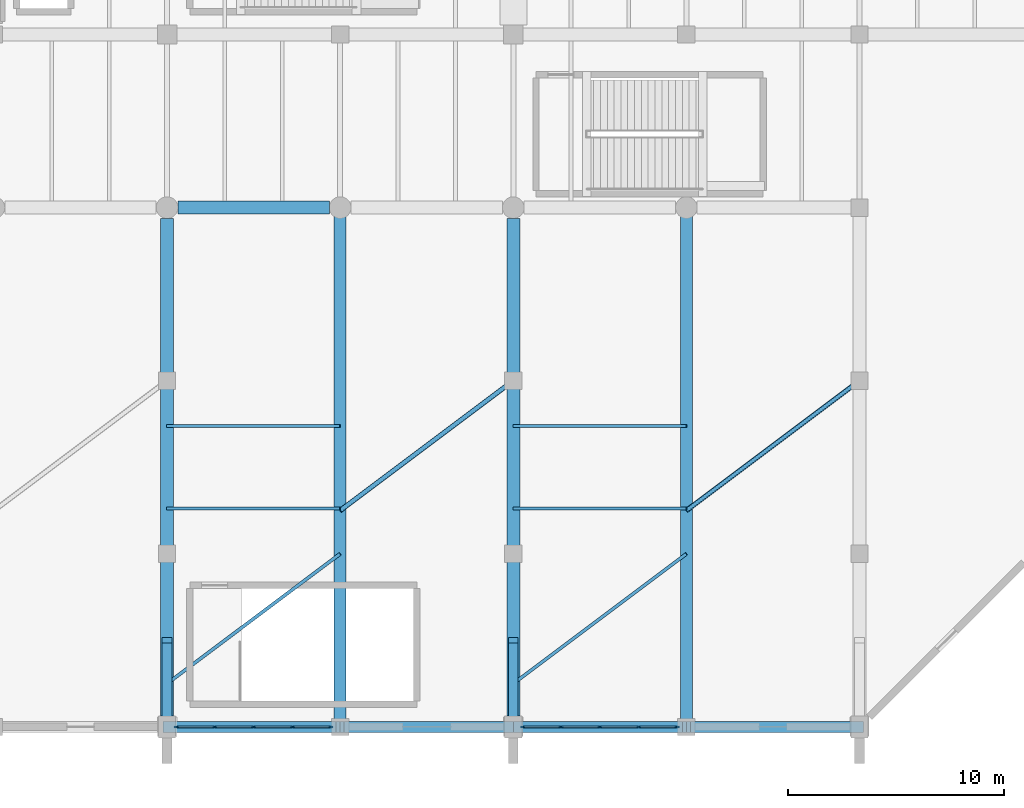
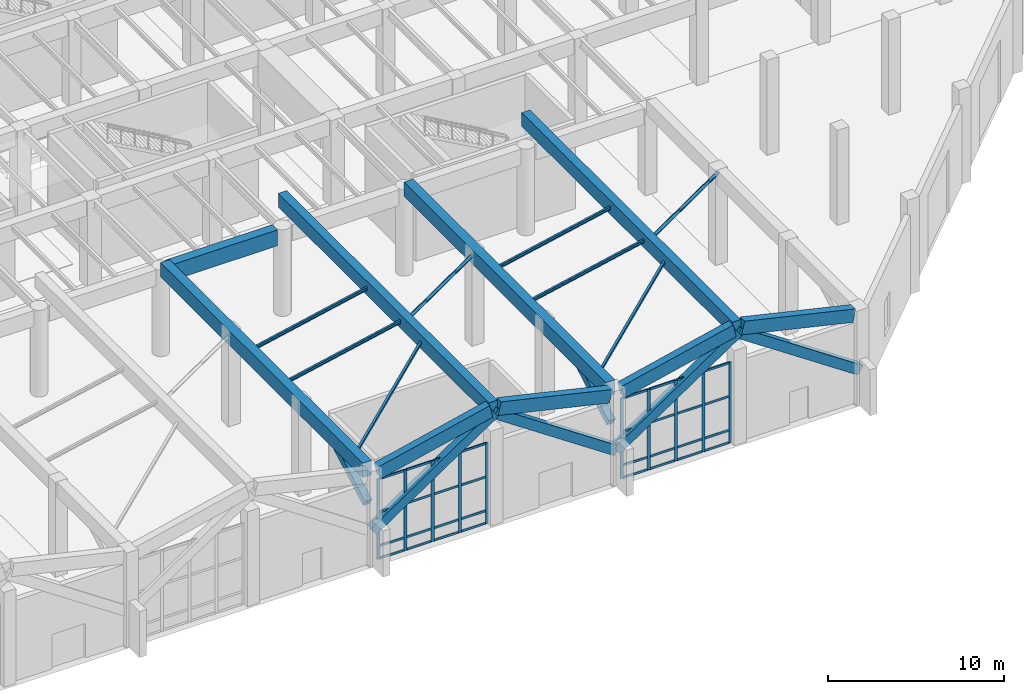
# One storey, part 15 of 51: 56 members, 9 beams, 2 elements without a shape of their own.
"""IFC4 building model written with IfcOpenShell, lengths in metres."""

from ifc_helpers import new_model, si_unit, direction, frame, origin, origin_2d, place, context, subcontext, project, spatial, rectangle, hollow_rectangle, hollow_circle, i_section, extrude, material, layer, layer_set, material_profile, profile_set, type_object, element, aggregate, save


model = new_model("IFC4")

# Units and contexts
model_context = context("Model", 3, precision=1e-05, world=origin(), true_north=direction((0.0, 1.0)))
body_context = subcontext(model_context, "Body", "Model", "MODEL_VIEW")
ifc_project = project(units=[si_unit("LENGTHUNIT", "METRE"), si_unit("AREAUNIT", "SQUARE_METRE"), si_unit("VOLUMEUNIT", "CUBIC_METRE"), si_unit("PLANEANGLEUNIT", "RADIAN"), si_unit("MASSUNIT", "GRAM", prefix="KILO")], contexts=[model_context])

# Site, building, storey
site_placement = place(None, origin())
site = spatial("IfcSite", under=ifc_project, at=site_placement, CompositionType="ELEMENT")
building_placement = place(site_placement, origin())
building = spatial("IfcBuilding", under=site, at=building_placement, Name="Varnela Railside Interchange", CompositionType="ELEMENT")
storey_placement = place(building_placement, origin())
storey = spatial("IfcBuildingStorey", under=building, at=storey_placement, Name="L00", CompositionType="ELEMENT", Elevation=0.0)

# Beams
ifc_material_1 = material(Name="Concrete C40", Category="concrete")
ifc_material_profile_1 = material_profile(ifc_material_1, rectangle(XDim=0.5, YDim=0.89990234375, at=origin_2d()), Name="RC 500x900")
ifc_profile_set_1 = profile_set([ifc_material_profile_1], Name="Concrete C40")
beam_type_1 = type_object("IfcBeamType", Name="Canopy Edge Chord Beam B-03", PredefinedType="BEAM", material=ifc_profile_set_1)
for number, where, z_axis, x_axis, name in (
    (1, (100.39990234375, 6.0, 6.14990234375), (0.974105883285, 0.0, 0.226092300067), (0.0, 1.0, 0.0), "Canopy Edge Chord Beam B-03 (L00) (BM-1400)"),
    (2, (108.27490234375, 6.0, 7.85009765625), (0.974105883285, 0.0, -0.226092300067), (0.0, 1.0, 0.0), "Canopy Edge Chord Beam B-03 (L00) (BM-1401)"),
    (3, (116.39990234375, 6.0, 6.14990234375), (0.974105883285, 0.0, 0.226092300067), (0.0, 1.0, 0.0), "Canopy Edge Chord Beam B-03 (L00) (BM-1402)"),
    (4, (124.27490234375, 6.0, 7.85009765625), (0.974105883285, 0.0, -0.226092300067), (0.0, 1.0, 0.0), "Canopy Edge Chord Beam B-03 (L00) (BM-1403)"),
):
    element("IfcBeam", number, at=place(storey_placement, frame(where, z_axis=z_axis, x_axis=x_axis)), inside=storey, type_object=beam_type_1, Name=name, PredefinedType="BEAM", context=body_context, shape_type="SweptSolid", body=[
        extrude(rectangle(XDim=0.5, YDim=0.89990234375, at=origin_2d()), origin(), (0.0, 0.0, 1.0), 7.52001953125),
    ])

# Members
ifc_material_2 = material(Name="Steel AR 350 (350 MPa)", Category="steel")
ifc_material_profile_2 = material_profile(ifc_material_2, hollow_circle(Radius=0.109619140625, WallThickness=0.012451171875, at=origin_2d()), Name="CHS 219.1x12.5")
ifc_profile_set_2 = profile_set([ifc_material_profile_2], Name="Steel AR 350 (350 MPa)")
member_type_1 = type_object("IfcMemberType", Name="Canopy Inclined Tie Strut BR-13", PredefinedType="STRUT", material=ifc_profile_set_2)
for number, where, z_axis, x_axis, name in (
    (5, (108.0, 16.0, 7.824951171875), (0.788358644975, 0.591268983731, -0.169975397545), (-0.6, 0.8, 0.0), "Canopy Inclined Tie Strut BR-13 (L00) (MB-0027)"),
    (6, (124.0, 16.0, 7.824951171875), (0.788358644975, 0.591268983731, -0.169975397545), (-0.6, 0.8, 0.0), "Canopy Inclined Tie Strut BR-13 (L00) (MB-0028)"),
):
    element("IfcMember", number, at=place(storey_placement, frame(where, z_axis=z_axis, x_axis=x_axis)), inside=storey, type_object=member_type_1, Name=name, PredefinedType="STRUT", context=body_context, shape_type="SweptSolid", body=[
        extrude(hollow_circle(Radius=0.109619140625, WallThickness=0.012451171875, at=origin_2d()), origin(), (0.0, 0.0, 1.0), 10.147705078125),
    ])
ifc_material_profile_3 = material_profile(ifc_material_2, hollow_rectangle(XDim=0.14990234375, YDim=0.14990234375, WallThickness=0.010009765625, at=origin_2d()), Name="HSS 150x150x10")
ifc_profile_set_3 = profile_set([ifc_material_profile_3], Name="Steel AR 350 (350 MPa)")
member_type_2 = type_object("IfcMemberType", Name="Canopy Plan Wind Brace BR-08", PredefinedType="BRACE", material=ifc_profile_set_3)
for number, where, z_axis, x_axis, name in (
    (7, (100.0, 8.0, 6.10009765625), (0.788358644975, 0.591268983731, 0.169975397545), (-0.6, 0.8, 0.0), "Canopy Plan Wind Brace BR-08 (L00) (MB-0033)"),
    (8, (116.0, 8.0, 6.10009765625), (0.788358644975, 0.591268983731, 0.169975397545), (-0.6, 0.8, 0.0), "Canopy Plan Wind Brace BR-08 (L00) (MB-0034)"),
):
    element("IfcMember", number, at=place(storey_placement, frame(where, z_axis=z_axis, x_axis=x_axis)), inside=storey, type_object=member_type_2, Name=name, PredefinedType="BRACE", context=body_context, shape_type="SweptSolid", body=[
        extrude(hollow_rectangle(XDim=0.14990234375, YDim=0.14990234375, WallThickness=0.010009765625, at=origin_2d()), origin(), (0.0, 0.0, 1.0), 10.147705078125),
    ])

# Beams
ifc_material_profile_4 = material_profile(ifc_material_1, rectangle(XDim=0.550048828125, YDim=0.949951171875, at=origin_2d()), Name="RC 550x950")
ifc_profile_set_4 = profile_set([ifc_material_profile_4], Name="Concrete C40")
beam_type_2 = type_object("IfcBeamType", Name="Canopy Ridge Girder B-04", PredefinedType="BEAM", material=ifc_profile_set_4)
for number, where, z_axis, x_axis, name in (
    (9, (108.0, 6.0, 7.824951171875), (0.0, 1.0, 0.0), (-1.0, 0.0, 0.0), "Canopy Ridge Girder B-04 (L00) (BM-1408)"),
    (10, (124.0, 6.0, 7.824951171875), (0.0, 1.0, 0.0), (-1.0, 0.0, 0.0), "Canopy Ridge Girder B-04 (L00) (BM-1409)"),
):
    element("IfcBeam", number, at=place(storey_placement, frame(where, z_axis=z_axis, x_axis=x_axis)), inside=storey, type_object=beam_type_2, Name=name, PredefinedType="BEAM", context=body_context, shape_type="SweptSolid", body=[
        extrude(rectangle(XDim=0.550048828125, YDim=0.949951171875, at=origin_2d()), origin(), (0.0, 0.0, 1.0), 24.0),
    ])
ifc_material_profile_5 = material_profile(ifc_material_1, rectangle(XDim=0.60009765625, YDim=1.0, at=origin_2d()), Name="RC 600x1000")
ifc_profile_set_5 = profile_set([ifc_material_profile_5], Name="Concrete C40")
beam_type_3 = type_object("IfcBeamType", Name="Canopy Valley Girder B-05", PredefinedType="BEAM", material=ifc_profile_set_5)
for number, where, z_axis, x_axis, name in (
    (11, (100.0, 6.5, 6.10009765625), (0.0, 1.0, 0.0), (-1.0, 0.0, 0.0), "Canopy Valley Girder B-05 (L00) (BM-1414)"),
    (12, (116.0, 6.5, 6.10009765625), (0.0, 1.0, 0.0), (-1.0, 0.0, 0.0), "Canopy Valley Girder B-05 (L00) (BM-1415)"),
):
    element("IfcBeam", number, at=place(storey_placement, frame(where, z_axis=z_axis, x_axis=x_axis)), inside=storey, type_object=beam_type_3, Name=name, PredefinedType="BEAM", context=body_context, shape_type="SweptSolid", body=[
        extrude(rectangle(XDim=0.60009765625, YDim=1.0, at=origin_2d()), origin(), (0.0, 0.0, 1.0), 23.0),
    ])
ifc_material_3 = material(Name="Concrete C50", Category="concrete")
ifc_material_profile_6 = material_profile(ifc_material_3, rectangle(XDim=0.60009765625, YDim=1.10009765625, at=origin_2d()), Name="RC 600x1100")
ifc_profile_set_6 = profile_set([ifc_material_profile_6], Name="Concrete C50")
beam_type_4 = type_object("IfcBeamType", Name="Concourse RC Girder B-06", PredefinedType="BEAM", material=ifc_profile_set_6)
beam_placement = place(storey_placement, frame((100.5, 30.0, 5.469970703125), z_axis=(1.0, 0.0, 0.0), x_axis=(0.0, 1.0, 0.0)))
element("IfcBeam", 13, at=beam_placement, inside=storey, type_object=beam_type_4, Name="Concourse RC Girder B-06 (L00) (BM-1189)", PredefinedType="BEAM", context=body_context, shape_type="SweptSolid", body=[
    extrude(rectangle(XDim=0.60009765625, YDim=1.10009765625, at=origin_2d()), origin(), (0.0, 0.0, 1.0), 7.0),
])

# Curtain wall, members
ifc_material_4 = material(Name="Aluminium 6063-T6", Category="aluminium")
ifc_layer = layer(ifc_material_4, 0.035888671875)
ifc_layer_set = layer_set([ifc_layer], Name="Aluminium 6063-T6")
curtain_wall_type = type_object("IfcCurtainWallType", Name="Arrival Forecourt Portal Curtain Wall CW-04", PredefinedType="USERDEFINED", material=ifc_layer_set)
curtain_wall_1_placement = place(storey_placement, origin())
curtain_wall_1 = element("IfcCurtainWall", 14, at=curtain_wall_1_placement, inside=storey, type_object=curtain_wall_type, Name="Curtain Wall CW-04 (L00) (CW-011)", ObjectType="CURTAIN WALL", PredefinedType="USERDEFINED")
ifc_material_profile_7 = material_profile(ifc_material_4, rectangle(XDim=0.074951171875, YDim=0.199951171875, at=origin_2d()), Name="ALU 75x200")
ifc_profile_set_7 = profile_set([ifc_material_profile_7], Name="Aluminium 6063-T6")
member_type_3 = type_object("IfcMemberType", Name="Portal Heavy Mullion ML-04", PredefinedType="MULLION", material=ifc_profile_set_7)
member_1_placement = place(storey_placement, frame((123.5625, 6.0, 0.0), z_axis=(0.0, 0.0, 1.0), x_axis=(0.0, -1.0, 0.0)))
member_1 = element("IfcMember", 15, at=member_1_placement, type_object=member_type_3, Name="CW-04 mullion 1", PredefinedType="MULLION", context=body_context, shape_type="SweptSolid", body=[
    extrude(rectangle(XDim=0.074951171875, YDim=0.199951171875, at=origin_2d()), origin(), (0.0, 0.0, 1.0), 5.60009765625),
])
member_2_placement = place(storey_placement, frame((121.800048828125, 6.0, 0.0), z_axis=(0.0, 0.0, 1.0), x_axis=(0.0, -1.0, 0.0)))
member_2 = element("IfcMember", 16, at=member_2_placement, type_object=member_type_3, Name="CW-04 mullion 2", PredefinedType="MULLION", context=body_context, shape_type="SweptSolid", body=[
    extrude(rectangle(XDim=0.074951171875, YDim=0.199951171875, at=origin_2d()), origin(), (0.0, 0.0, 1.0), 5.60009765625),
])
member_3_placement = place(storey_placement, frame((120.0, 6.0, 0.0), z_axis=(0.0, 0.0, 1.0), x_axis=(0.0, -1.0, 0.0)))
member_3 = element("IfcMember", 17, at=member_3_placement, type_object=member_type_3, Name="CW-04 mullion 3", PredefinedType="MULLION", context=body_context, shape_type="SweptSolid", body=[
    extrude(rectangle(XDim=0.074951171875, YDim=0.199951171875, at=origin_2d()), origin(), (0.0, 0.0, 1.0), 5.60009765625),
])
member_4_placement = place(storey_placement, frame((118.199951171875, 6.0, 0.0), z_axis=(0.0, 0.0, 1.0), x_axis=(0.0, -1.0, 0.0)))
member_4 = element("IfcMember", 18, at=member_4_placement, type_object=member_type_3, Name="CW-04 mullion 4", PredefinedType="MULLION", context=body_context, shape_type="SweptSolid", body=[
    extrude(rectangle(XDim=0.074951171875, YDim=0.199951171875, at=origin_2d()), origin(), (0.0, 0.0, 1.0), 5.60009765625),
])
member_5_placement = place(storey_placement, frame((116.4375, 6.0, 0.0), z_axis=(0.0, 0.0, 1.0), x_axis=(0.0, -1.0, 0.0)))
member_5 = element("IfcMember", 19, at=member_5_placement, type_object=member_type_3, Name="CW-04 mullion 5", PredefinedType="MULLION", context=body_context, shape_type="SweptSolid", body=[
    extrude(rectangle(XDim=0.074951171875, YDim=0.199951171875, at=origin_2d()), origin(), (0.0, 0.0, 1.0), 5.60009765625),
])

curtain_wall_2_placement = place(storey_placement, origin())
curtain_wall_2 = element("IfcCurtainWall", 20, at=curtain_wall_2_placement, inside=storey, type_object=curtain_wall_type, Name="Curtain Wall CW-04 (L00) (CW-012)", ObjectType="CURTAIN WALL", PredefinedType="USERDEFINED")
member_6_placement = place(storey_placement, frame((107.5625, 6.0, 0.0), z_axis=(0.0, 0.0, 1.0), x_axis=(0.0, -1.0, 0.0)))
member_6 = element("IfcMember", 21, at=member_6_placement, type_object=member_type_3, Name="CW-04 mullion 1", PredefinedType="MULLION", context=body_context, shape_type="SweptSolid", body=[
    extrude(rectangle(XDim=0.074951171875, YDim=0.199951171875, at=origin_2d()), origin(), (0.0, 0.0, 1.0), 5.60009765625),
])
member_7_placement = place(storey_placement, frame((105.800048828125, 6.0, 0.0), z_axis=(0.0, 0.0, 1.0), x_axis=(0.0, -1.0, 0.0)))
member_7 = element("IfcMember", 22, at=member_7_placement, type_object=member_type_3, Name="CW-04 mullion 2", PredefinedType="MULLION", context=body_context, shape_type="SweptSolid", body=[
    extrude(rectangle(XDim=0.074951171875, YDim=0.199951171875, at=origin_2d()), origin(), (0.0, 0.0, 1.0), 5.60009765625),
])
member_8_placement = place(storey_placement, frame((104.0, 6.0, 0.0), z_axis=(0.0, 0.0, 1.0), x_axis=(0.0, -1.0, 0.0)))
member_8 = element("IfcMember", 23, at=member_8_placement, type_object=member_type_3, Name="CW-04 mullion 3", PredefinedType="MULLION", context=body_context, shape_type="SweptSolid", body=[
    extrude(rectangle(XDim=0.074951171875, YDim=0.199951171875, at=origin_2d()), origin(), (0.0, 0.0, 1.0), 5.60009765625),
])
member_9_placement = place(storey_placement, frame((102.199951171875, 6.0, 0.0), z_axis=(0.0, 0.0, 1.0), x_axis=(0.0, -1.0, 0.0)))
member_9 = element("IfcMember", 24, at=member_9_placement, type_object=member_type_3, Name="CW-04 mullion 4", PredefinedType="MULLION", context=body_context, shape_type="SweptSolid", body=[
    extrude(rectangle(XDim=0.074951171875, YDim=0.199951171875, at=origin_2d()), origin(), (0.0, 0.0, 1.0), 5.60009765625),
])
member_10_placement = place(storey_placement, frame((100.4375, 6.0, 0.0), z_axis=(0.0, 0.0, 1.0), x_axis=(0.0, -1.0, 0.0)))
member_10 = element("IfcMember", 25, at=member_10_placement, type_object=member_type_3, Name="CW-04 mullion 5", PredefinedType="MULLION", context=body_context, shape_type="SweptSolid", body=[
    extrude(rectangle(XDim=0.074951171875, YDim=0.199951171875, at=origin_2d()), origin(), (0.0, 0.0, 1.0), 5.60009765625),
])

# Member
ifc_material_profile_8 = material_profile(ifc_material_4, rectangle(XDim=0.074951171875, YDim=0.14990234375, at=origin_2d()), Name="ALU 75x150")
ifc_profile_set_8 = profile_set([ifc_material_profile_8], Name="Aluminium 6063-T6")
member_type_4 = type_object("IfcMemberType", Name="Portal Heavy Transom TR-04", PredefinedType="USERDEFINED", material=ifc_profile_set_8)
member_11_placement = place(storey_placement, frame((123.52490234375, 6.0, 0.03759765625), z_axis=(-1.0, 0.0, 0.0), x_axis=(0.0, -1.0, 0.0)))
member_11 = element("IfcMember", 26, at=member_11_placement, type_object=member_type_4, Name="CW-04 transom 1.1", ObjectType="TRANSOM", PredefinedType="USERDEFINED", context=body_context, shape_type="SweptSolid", body=[
    extrude(rectangle(XDim=0.074951171875, YDim=0.14990234375, at=origin_2d()), origin(), (0.0, 0.0, 1.0), 1.6875),
])

member_12_placement = place(storey_placement, frame((123.52490234375, 6.0, 0.89990234375), z_axis=(-1.0, 0.0, 0.0), x_axis=(0.0, -1.0, 0.0)))
member_12 = element("IfcMember", 27, at=member_12_placement, type_object=member_type_4, Name="CW-04 transom 1.2", ObjectType="TRANSOM", PredefinedType="USERDEFINED", context=body_context, shape_type="SweptSolid", body=[
    extrude(rectangle(XDim=0.074951171875, YDim=0.14990234375, at=origin_2d()), origin(), (0.0, 0.0, 1.0), 1.6875),
])

member_13_placement = place(storey_placement, frame((123.52490234375, 6.0, 3.248046875), z_axis=(-1.0, 0.0, 0.0), x_axis=(0.0, -1.0, 0.0)))
member_13 = element("IfcMember", 28, at=member_13_placement, type_object=member_type_4, Name="CW-04 transom 1.3", ObjectType="TRANSOM", PredefinedType="USERDEFINED", context=body_context, shape_type="SweptSolid", body=[
    extrude(rectangle(XDim=0.074951171875, YDim=0.14990234375, at=origin_2d()), origin(), (0.0, 0.0, 1.0), 1.6875),
])

member_14_placement = place(storey_placement, frame((123.52490234375, 6.0, 5.5625), z_axis=(-1.0, 0.0, 0.0), x_axis=(0.0, -1.0, 0.0)))
member_14 = element("IfcMember", 29, at=member_14_placement, type_object=member_type_4, Name="CW-04 transom 1.4", ObjectType="TRANSOM", PredefinedType="USERDEFINED", context=body_context, shape_type="SweptSolid", body=[
    extrude(rectangle(XDim=0.074951171875, YDim=0.14990234375, at=origin_2d()), origin(), (0.0, 0.0, 1.0), 1.6875),
])

member_15_placement = place(storey_placement, frame((121.762451171875, 6.0, 0.03759765625), z_axis=(-1.0, 0.0, 0.0), x_axis=(0.0, -1.0, 0.0)))
member_15 = element("IfcMember", 30, at=member_15_placement, type_object=member_type_4, Name="CW-04 transom 2.1", ObjectType="TRANSOM", PredefinedType="USERDEFINED", context=body_context, shape_type="SweptSolid", body=[
    extrude(rectangle(XDim=0.074951171875, YDim=0.14990234375, at=origin_2d()), origin(), (0.0, 0.0, 1.0), 1.724853515625),
])

member_16_placement = place(storey_placement, frame((121.762451171875, 6.0, 0.89990234375), z_axis=(-1.0, 0.0, 0.0), x_axis=(0.0, -1.0, 0.0)))
member_16 = element("IfcMember", 31, at=member_16_placement, type_object=member_type_4, Name="CW-04 transom 2.2", ObjectType="TRANSOM", PredefinedType="USERDEFINED", context=body_context, shape_type="SweptSolid", body=[
    extrude(rectangle(XDim=0.074951171875, YDim=0.14990234375, at=origin_2d()), origin(), (0.0, 0.0, 1.0), 1.724853515625),
])

member_17_placement = place(storey_placement, frame((121.762451171875, 6.0, 3.248046875), z_axis=(-1.0, 0.0, 0.0), x_axis=(0.0, -1.0, 0.0)))
member_17 = element("IfcMember", 32, at=member_17_placement, type_object=member_type_4, Name="CW-04 transom 2.3", ObjectType="TRANSOM", PredefinedType="USERDEFINED", context=body_context, shape_type="SweptSolid", body=[
    extrude(rectangle(XDim=0.074951171875, YDim=0.14990234375, at=origin_2d()), origin(), (0.0, 0.0, 1.0), 1.724853515625),
])

member_18_placement = place(storey_placement, frame((121.762451171875, 6.0, 5.5625), z_axis=(-1.0, 0.0, 0.0), x_axis=(0.0, -1.0, 0.0)))
member_18 = element("IfcMember", 33, at=member_18_placement, type_object=member_type_4, Name="CW-04 transom 2.4", ObjectType="TRANSOM", PredefinedType="USERDEFINED", context=body_context, shape_type="SweptSolid", body=[
    extrude(rectangle(XDim=0.074951171875, YDim=0.14990234375, at=origin_2d()), origin(), (0.0, 0.0, 1.0), 1.724853515625),
])

member_19_placement = place(storey_placement, frame((119.96240234375, 6.0, 0.03759765625), z_axis=(-1.0, 0.0, 0.0), x_axis=(0.0, -1.0, 0.0)))
member_19 = element("IfcMember", 34, at=member_19_placement, type_object=member_type_4, Name="CW-04 transom 3.1", ObjectType="TRANSOM", PredefinedType="USERDEFINED", context=body_context, shape_type="SweptSolid", body=[
    extrude(rectangle(XDim=0.074951171875, YDim=0.14990234375, at=origin_2d()), origin(), (0.0, 0.0, 1.0), 1.724853515625),
])

member_20_placement = place(storey_placement, frame((119.96240234375, 6.0, 0.89990234375), z_axis=(-1.0, 0.0, 0.0), x_axis=(0.0, -1.0, 0.0)))
member_20 = element("IfcMember", 35, at=member_20_placement, type_object=member_type_4, Name="CW-04 transom 3.2", ObjectType="TRANSOM", PredefinedType="USERDEFINED", context=body_context, shape_type="SweptSolid", body=[
    extrude(rectangle(XDim=0.074951171875, YDim=0.14990234375, at=origin_2d()), origin(), (0.0, 0.0, 1.0), 1.724853515625),
])

member_21_placement = place(storey_placement, frame((119.96240234375, 6.0, 3.248046875), z_axis=(-1.0, 0.0, 0.0), x_axis=(0.0, -1.0, 0.0)))
member_21 = element("IfcMember", 36, at=member_21_placement, type_object=member_type_4, Name="CW-04 transom 3.3", ObjectType="TRANSOM", PredefinedType="USERDEFINED", context=body_context, shape_type="SweptSolid", body=[
    extrude(rectangle(XDim=0.074951171875, YDim=0.14990234375, at=origin_2d()), origin(), (0.0, 0.0, 1.0), 1.724853515625),
])

member_22_placement = place(storey_placement, frame((119.96240234375, 6.0, 5.5625), z_axis=(-1.0, 0.0, 0.0), x_axis=(0.0, -1.0, 0.0)))
member_22 = element("IfcMember", 37, at=member_22_placement, type_object=member_type_4, Name="CW-04 transom 3.4", ObjectType="TRANSOM", PredefinedType="USERDEFINED", context=body_context, shape_type="SweptSolid", body=[
    extrude(rectangle(XDim=0.074951171875, YDim=0.14990234375, at=origin_2d()), origin(), (0.0, 0.0, 1.0), 1.724853515625),
])

member_23_placement = place(storey_placement, frame((118.16259765625, 6.0, 0.03759765625), z_axis=(-1.0, 0.0, 0.0), x_axis=(0.0, -1.0, 0.0)))
member_23 = element("IfcMember", 38, at=member_23_placement, type_object=member_type_4, Name="CW-04 transom 4.1", ObjectType="TRANSOM", PredefinedType="USERDEFINED", context=body_context, shape_type="SweptSolid", body=[
    extrude(rectangle(XDim=0.074951171875, YDim=0.14990234375, at=origin_2d()), origin(), (0.0, 0.0, 1.0), 1.6875),
])

member_24_placement = place(storey_placement, frame((118.16259765625, 6.0, 0.89990234375), z_axis=(-1.0, 0.0, 0.0), x_axis=(0.0, -1.0, 0.0)))
member_24 = element("IfcMember", 39, at=member_24_placement, type_object=member_type_4, Name="CW-04 transom 4.2", ObjectType="TRANSOM", PredefinedType="USERDEFINED", context=body_context, shape_type="SweptSolid", body=[
    extrude(rectangle(XDim=0.074951171875, YDim=0.14990234375, at=origin_2d()), origin(), (0.0, 0.0, 1.0), 1.6875),
])

member_25_placement = place(storey_placement, frame((118.16259765625, 6.0, 3.248046875), z_axis=(-1.0, 0.0, 0.0), x_axis=(0.0, -1.0, 0.0)))
member_25 = element("IfcMember", 40, at=member_25_placement, type_object=member_type_4, Name="CW-04 transom 4.3", ObjectType="TRANSOM", PredefinedType="USERDEFINED", context=body_context, shape_type="SweptSolid", body=[
    extrude(rectangle(XDim=0.074951171875, YDim=0.14990234375, at=origin_2d()), origin(), (0.0, 0.0, 1.0), 1.6875),
])

member_26_placement = place(storey_placement, frame((118.16259765625, 6.0, 5.5625), z_axis=(-1.0, 0.0, 0.0), x_axis=(0.0, -1.0, 0.0)))
member_26 = element("IfcMember", 41, at=member_26_placement, type_object=member_type_4, Name="CW-04 transom 4.4", ObjectType="TRANSOM", PredefinedType="USERDEFINED", context=body_context, shape_type="SweptSolid", body=[
    extrude(rectangle(XDim=0.074951171875, YDim=0.14990234375, at=origin_2d()), origin(), (0.0, 0.0, 1.0), 1.6875),
])

aggregate(curtain_wall_1, [member_1, member_2, member_3, member_4, member_5, member_11, member_12, member_13, member_14, member_15, member_16, member_17, member_18, member_19, member_20, member_21, member_22, member_23, member_24, member_25, member_26])

member_27_placement = place(storey_placement, frame((107.52490234375, 6.0, 0.03759765625), z_axis=(-1.0, 0.0, 0.0), x_axis=(0.0, -1.0, 0.0)))
member_27 = element("IfcMember", 42, at=member_27_placement, type_object=member_type_4, Name="CW-04 transom 1.1", ObjectType="TRANSOM", PredefinedType="USERDEFINED", context=body_context, shape_type="SweptSolid", body=[
    extrude(rectangle(XDim=0.074951171875, YDim=0.14990234375, at=origin_2d()), origin(), (0.0, 0.0, 1.0), 1.6875),
])

member_28_placement = place(storey_placement, frame((107.52490234375, 6.0, 0.89990234375), z_axis=(-1.0, 0.0, 0.0), x_axis=(0.0, -1.0, 0.0)))
member_28 = element("IfcMember", 43, at=member_28_placement, type_object=member_type_4, Name="CW-04 transom 1.2", ObjectType="TRANSOM", PredefinedType="USERDEFINED", context=body_context, shape_type="SweptSolid", body=[
    extrude(rectangle(XDim=0.074951171875, YDim=0.14990234375, at=origin_2d()), origin(), (0.0, 0.0, 1.0), 1.6875),
])

member_29_placement = place(storey_placement, frame((107.52490234375, 6.0, 3.248046875), z_axis=(-1.0, 0.0, 0.0), x_axis=(0.0, -1.0, 0.0)))
member_29 = element("IfcMember", 44, at=member_29_placement, type_object=member_type_4, Name="CW-04 transom 1.3", ObjectType="TRANSOM", PredefinedType="USERDEFINED", context=body_context, shape_type="SweptSolid", body=[
    extrude(rectangle(XDim=0.074951171875, YDim=0.14990234375, at=origin_2d()), origin(), (0.0, 0.0, 1.0), 1.6875),
])

member_30_placement = place(storey_placement, frame((107.52490234375, 6.0, 5.5625), z_axis=(-1.0, 0.0, 0.0), x_axis=(0.0, -1.0, 0.0)))
member_30 = element("IfcMember", 45, at=member_30_placement, type_object=member_type_4, Name="CW-04 transom 1.4", ObjectType="TRANSOM", PredefinedType="USERDEFINED", context=body_context, shape_type="SweptSolid", body=[
    extrude(rectangle(XDim=0.074951171875, YDim=0.14990234375, at=origin_2d()), origin(), (0.0, 0.0, 1.0), 1.6875),
])

member_31_placement = place(storey_placement, frame((105.762451171875, 6.0, 0.03759765625), z_axis=(-1.0, 0.0, 0.0), x_axis=(0.0, -1.0, 0.0)))
member_31 = element("IfcMember", 46, at=member_31_placement, type_object=member_type_4, Name="CW-04 transom 2.1", ObjectType="TRANSOM", PredefinedType="USERDEFINED", context=body_context, shape_type="SweptSolid", body=[
    extrude(rectangle(XDim=0.074951171875, YDim=0.14990234375, at=origin_2d()), origin(), (0.0, 0.0, 1.0), 1.724853515625),
])

member_32_placement = place(storey_placement, frame((105.762451171875, 6.0, 0.89990234375), z_axis=(-1.0, 0.0, 0.0), x_axis=(0.0, -1.0, 0.0)))
member_32 = element("IfcMember", 47, at=member_32_placement, type_object=member_type_4, Name="CW-04 transom 2.2", ObjectType="TRANSOM", PredefinedType="USERDEFINED", context=body_context, shape_type="SweptSolid", body=[
    extrude(rectangle(XDim=0.074951171875, YDim=0.14990234375, at=origin_2d()), origin(), (0.0, 0.0, 1.0), 1.724853515625),
])

member_33_placement = place(storey_placement, frame((105.762451171875, 6.0, 3.248046875), z_axis=(-1.0, 0.0, 0.0), x_axis=(0.0, -1.0, 0.0)))
member_33 = element("IfcMember", 48, at=member_33_placement, type_object=member_type_4, Name="CW-04 transom 2.3", ObjectType="TRANSOM", PredefinedType="USERDEFINED", context=body_context, shape_type="SweptSolid", body=[
    extrude(rectangle(XDim=0.074951171875, YDim=0.14990234375, at=origin_2d()), origin(), (0.0, 0.0, 1.0), 1.724853515625),
])

member_34_placement = place(storey_placement, frame((105.762451171875, 6.0, 5.5625), z_axis=(-1.0, 0.0, 0.0), x_axis=(0.0, -1.0, 0.0)))
member_34 = element("IfcMember", 49, at=member_34_placement, type_object=member_type_4, Name="CW-04 transom 2.4", ObjectType="TRANSOM", PredefinedType="USERDEFINED", context=body_context, shape_type="SweptSolid", body=[
    extrude(rectangle(XDim=0.074951171875, YDim=0.14990234375, at=origin_2d()), origin(), (0.0, 0.0, 1.0), 1.724853515625),
])

member_35_placement = place(storey_placement, frame((103.96240234375, 6.0, 0.03759765625), z_axis=(-1.0, 0.0, 0.0), x_axis=(0.0, -1.0, 0.0)))
member_35 = element("IfcMember", 50, at=member_35_placement, type_object=member_type_4, Name="CW-04 transom 3.1", ObjectType="TRANSOM", PredefinedType="USERDEFINED", context=body_context, shape_type="SweptSolid", body=[
    extrude(rectangle(XDim=0.074951171875, YDim=0.14990234375, at=origin_2d()), origin(), (0.0, 0.0, 1.0), 1.724853515625),
])

member_36_placement = place(storey_placement, frame((103.96240234375, 6.0, 0.89990234375), z_axis=(-1.0, 0.0, 0.0), x_axis=(0.0, -1.0, 0.0)))
member_36 = element("IfcMember", 51, at=member_36_placement, type_object=member_type_4, Name="CW-04 transom 3.2", ObjectType="TRANSOM", PredefinedType="USERDEFINED", context=body_context, shape_type="SweptSolid", body=[
    extrude(rectangle(XDim=0.074951171875, YDim=0.14990234375, at=origin_2d()), origin(), (0.0, 0.0, 1.0), 1.724853515625),
])

member_37_placement = place(storey_placement, frame((103.96240234375, 6.0, 3.248046875), z_axis=(-1.0, 0.0, 0.0), x_axis=(0.0, -1.0, 0.0)))
member_37 = element("IfcMember", 52, at=member_37_placement, type_object=member_type_4, Name="CW-04 transom 3.3", ObjectType="TRANSOM", PredefinedType="USERDEFINED", context=body_context, shape_type="SweptSolid", body=[
    extrude(rectangle(XDim=0.074951171875, YDim=0.14990234375, at=origin_2d()), origin(), (0.0, 0.0, 1.0), 1.724853515625),
])

member_38_placement = place(storey_placement, frame((103.96240234375, 6.0, 5.5625), z_axis=(-1.0, 0.0, 0.0), x_axis=(0.0, -1.0, 0.0)))
member_38 = element("IfcMember", 53, at=member_38_placement, type_object=member_type_4, Name="CW-04 transom 3.4", ObjectType="TRANSOM", PredefinedType="USERDEFINED", context=body_context, shape_type="SweptSolid", body=[
    extrude(rectangle(XDim=0.074951171875, YDim=0.14990234375, at=origin_2d()), origin(), (0.0, 0.0, 1.0), 1.724853515625),
])

member_39_placement = place(storey_placement, frame((102.16259765625, 6.0, 0.03759765625), z_axis=(-1.0, 0.0, 0.0), x_axis=(0.0, -1.0, 0.0)))
member_39 = element("IfcMember", 54, at=member_39_placement, type_object=member_type_4, Name="CW-04 transom 4.1", ObjectType="TRANSOM", PredefinedType="USERDEFINED", context=body_context, shape_type="SweptSolid", body=[
    extrude(rectangle(XDim=0.074951171875, YDim=0.14990234375, at=origin_2d()), origin(), (0.0, 0.0, 1.0), 1.6875),
])

member_40_placement = place(storey_placement, frame((102.16259765625, 6.0, 0.89990234375), z_axis=(-1.0, 0.0, 0.0), x_axis=(0.0, -1.0, 0.0)))
member_40 = element("IfcMember", 55, at=member_40_placement, type_object=member_type_4, Name="CW-04 transom 4.2", ObjectType="TRANSOM", PredefinedType="USERDEFINED", context=body_context, shape_type="SweptSolid", body=[
    extrude(rectangle(XDim=0.074951171875, YDim=0.14990234375, at=origin_2d()), origin(), (0.0, 0.0, 1.0), 1.6875),
])

member_41_placement = place(storey_placement, frame((102.16259765625, 6.0, 3.248046875), z_axis=(-1.0, 0.0, 0.0), x_axis=(0.0, -1.0, 0.0)))
member_41 = element("IfcMember", 56, at=member_41_placement, type_object=member_type_4, Name="CW-04 transom 4.3", ObjectType="TRANSOM", PredefinedType="USERDEFINED", context=body_context, shape_type="SweptSolid", body=[
    extrude(rectangle(XDim=0.074951171875, YDim=0.14990234375, at=origin_2d()), origin(), (0.0, 0.0, 1.0), 1.6875),
])

member_42_placement = place(storey_placement, frame((102.16259765625, 6.0, 5.5625), z_axis=(-1.0, 0.0, 0.0), x_axis=(0.0, -1.0, 0.0)))
member_42 = element("IfcMember", 57, at=member_42_placement, type_object=member_type_4, Name="CW-04 transom 4.4", ObjectType="TRANSOM", PredefinedType="USERDEFINED", context=body_context, shape_type="SweptSolid", body=[
    extrude(rectangle(XDim=0.074951171875, YDim=0.14990234375, at=origin_2d()), origin(), (0.0, 0.0, 1.0), 1.6875),
])

aggregate(curtain_wall_2, [member_6, member_7, member_8, member_9, member_10, member_27, member_28, member_29, member_30, member_31, member_32, member_33, member_34, member_35, member_36, member_37, member_38, member_39, member_40, member_41, member_42])

# Members
ifc_material_profile_9 = material_profile(ifc_material_3, rectangle(XDim=0.449951171875, YDim=0.5, at=origin_2d()), Name="RC 450x500")
ifc_profile_set_9 = profile_set([ifc_material_profile_9], Name="Concrete C50")
member_type_5 = type_object("IfcMemberType", Name="Sculpted Canopy Knee Strut VP-03", PredefinedType="STRUT", material=ifc_profile_set_9)
for number, where, z_axis, x_axis, name in (
    (58, (100.0, 6.449951171875, 3.800048828125), (0.0, 0.871250514853, 0.490838609289), (-1.0, 0.0, 0.0), "Sculpted Canopy Knee Strut VP-03 (L00) (MB-0064)"),
    (59, (116.0, 6.449951171875, 3.800048828125), (0.0, 0.871250514853, 0.490838609289), (-1.0, 0.0, 0.0), "Sculpted Canopy Knee Strut VP-03 (L00) (MB-0065)"),
):
    element("IfcMember", number, at=place(storey_placement, frame(where, z_axis=z_axis, x_axis=x_axis)), inside=storey, type_object=member_type_5, Name=name, PredefinedType="STRUT", context=body_context, shape_type="SweptSolid", body=[
        extrude(rectangle(XDim=0.449951171875, YDim=0.5, at=origin_2d()), origin(), (0.0, 0.0, 1.0), 4.07470703125),
    ])
ifc_material_profile_10 = material_profile(ifc_material_3, rectangle(XDim=0.5, YDim=0.64990234375, at=origin_2d()), Name="RC 500x650")
ifc_profile_set_10 = profile_set([ifc_material_profile_10], Name="Concrete C50")
member_type_6 = type_object("IfcMemberType", Name="Sculpted V-Pier Primary Strut VP-01", PredefinedType="STRUT", material=ifc_profile_set_10)
for number, where, z_axis, x_axis, name in (
    (60, (100.0, 6.0, 2.199951171875), (0.828841636369, 0.0, 0.559483281092), (0.0, 1.0, 0.0), "Sculpted V-Pier Primary Strut VP-01 (L00) (MB-0052)"),
    (61, (116.0, 6.0, 2.199951171875), (0.828841636369, 0.0, 0.559483281092), (0.0, 1.0, 0.0), "Sculpted V-Pier Primary Strut VP-01 (L00) (MB-0053)"),
    (62, (116.0, 6.0, 2.199951171875), (-0.828841636369, 0.0, 0.559483281092), (0.0, -1.0, 0.0), "Sculpted V-Pier Primary Strut VP-01 (L00) (MB-0058)"),
    (63, (132.0, 6.0, 2.199951171875), (-0.828841636369, 0.0, 0.559483281092), (0.0, -1.0, 0.0), "Sculpted V-Pier Primary Strut VP-01 (L00) (MB-0059)"),
):
    element("IfcMember", number, at=place(storey_placement, frame(where, z_axis=z_axis, x_axis=x_axis)), inside=storey, type_object=member_type_6, Name=name, PredefinedType="STRUT", context=body_context, shape_type="SweptSolid", body=[
        extrude(rectangle(XDim=0.5, YDim=0.64990234375, at=origin_2d()), origin(), (0.0, 0.0, 1.0), 9.652099609375),
    ])
ifc_material_profile_11 = material_profile(ifc_material_2, i_section(OverallWidth=0.133056640625, OverallDepth=0.20703125, WebThickness=0.005859375, FlangeThickness=0.00830078125, at=origin_2d()), Name="W200x26.6")
ifc_profile_set_11 = profile_set([ifc_material_profile_11], Name="Steel AR 350 (350 MPa)")
member_type_7 = type_object("IfcMemberType", Name="Skylight Curb Purlin PR-01", PredefinedType="PURLIN", material=ifc_profile_set_11)
for number, where, z_axis, x_axis, name in (
    (64, (100.0, 16.10009765625, 6.199951171875), (0.978160064759, 0.0, 0.207853043546), (0.0, 1.0, 0.0), "Skylight Curb Purlin PR-01 (L00) (MB-0020)"),
    (65, (100.0, 19.89990234375, 6.199951171875), (0.978160064759, 0.0, 0.207853043546), (0.0, 1.0, 0.0), "Skylight Curb Purlin PR-01 (L00) (MB-0019)"),
    (66, (116.0, 16.10009765625, 6.199951171875), (0.978160064759, 0.0, 0.207853043546), (0.0, 1.0, 0.0), "Skylight Curb Purlin PR-01 (L00) (MB-0022)"),
    (67, (116.0, 19.89990234375, 6.199951171875), (0.978160064759, 0.0, 0.207853043546), (0.0, 1.0, 0.0), "Skylight Curb Purlin PR-01 (L00) (MB-0021)"),
):
    element("IfcMember", number, at=place(storey_placement, frame(where, z_axis=z_axis, x_axis=x_axis)), inside=storey, type_object=member_type_7, Name=name, PredefinedType="PURLIN", context=body_context, shape_type="SweptSolid", body=[
        extrude(i_section(OverallWidth=0.133056640625, OverallDepth=0.20703125, WebThickness=0.005859375, FlangeThickness=0.00830078125, at=origin_2d()), origin(), (0.0, 0.0, 1.0), 8.1787109375),
    ])

save(model, "model.ifc")
